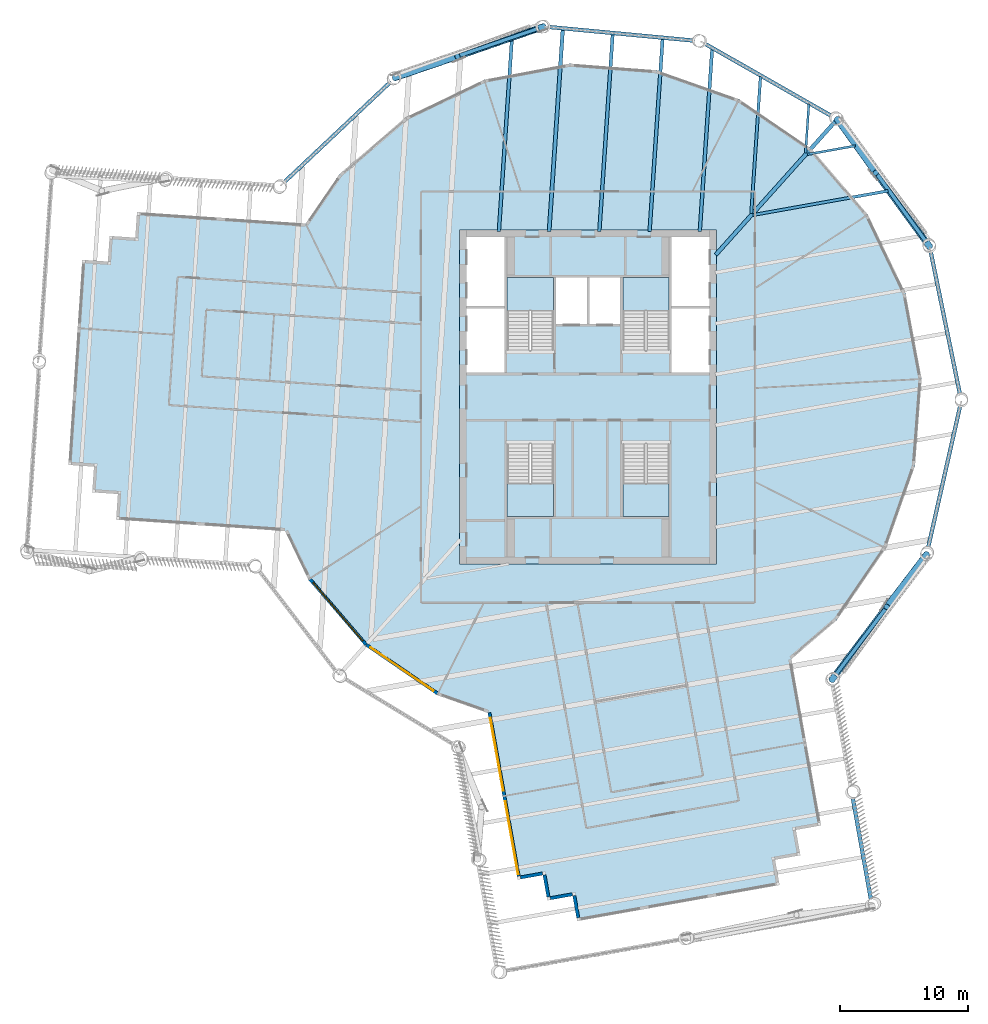
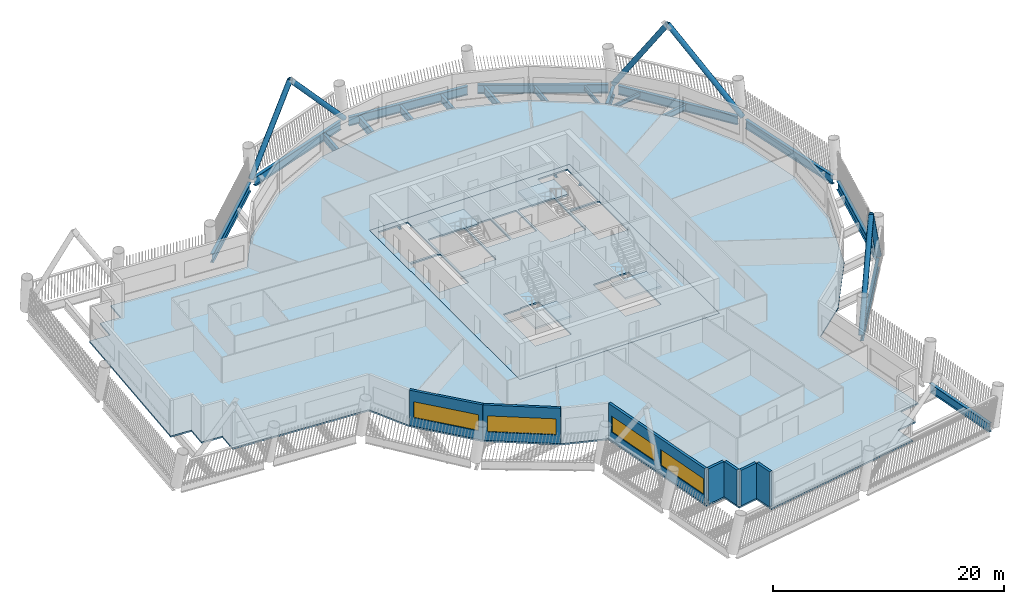
# One storey, part 2 of 22: 19 beams, 7 walls, 6 members, 6 slabs, 4 windows, 4 openings, 4 elements without a shape of their own.
"""IFC4 building model written with IfcOpenShell, lengths in metres."""

from ifc_helpers import new_model, si_unit, direction, frame, frame_2d, origin, origin_2d, place, context, subcontext, project, spatial, polyline, rectangle, hollow_circle, i_section, outline, extrude, material, layer, layer_set, material_profile, profile_set, type_object, element, fill, aggregate, save


model = new_model("IFC4")

# Units and contexts
model_context = context("Model", 3, precision=1e-05, world=origin(), true_north=direction((0.0, 1.0)))
body_context = subcontext(model_context, "Body", "Model", "MODEL_VIEW")
ifc_project = project(units=[si_unit("LENGTHUNIT", "METRE"), si_unit("AREAUNIT", "SQUARE_METRE"), si_unit("VOLUMEUNIT", "CUBIC_METRE"), si_unit("PLANEANGLEUNIT", "RADIAN"), si_unit("MASSUNIT", "GRAM", prefix="KILO")], contexts=[model_context])

# Site, building, storey
site_placement = place(None, origin())
site = spatial("IfcSite", under=ifc_project, at=site_placement, CompositionType="ELEMENT")
building_placement = place(site_placement, origin())
building = spatial("IfcBuilding", under=site, at=building_placement, Name="Tarsis Ring Headquarters", CompositionType="ELEMENT")
storey_placement = place(building_placement, frame((0.0, 0.0, 270.800048828125)))
storey = spatial("IfcBuildingStorey", under=building, at=storey_placement, Name="L63", CompositionType="ELEMENT", Elevation=270.800048828125)

# Beams
ifc_material_1 = material(Name="Structural steel S355", Category="steel")
ifc_material_profile_1 = material_profile(ifc_material_1, i_section(OverallWidth=0.177734375, OverallDepth=0.406494140625, WebThickness=0.0078125, FlangeThickness=0.0126953125, at=origin_2d()), Name="W16x40")
ifc_profile_set_1 = profile_set([ifc_material_profile_1], Name="Structural steel S355")
beam_type_1 = type_object("IfcBeamType", Name="FB Floor beam W16x40", PredefinedType="JOIST", material=ifc_profile_set_1)
beam_1_placement = place(storey_placement, frame((17.064697265625, 18.892333984375, -0.36328125), z_axis=(0.98443867627, 0.175728462872, 0.0), x_axis=(-0.175728462872, 0.98443867627, 0.0)))
element("IfcBeam", 1, at=beam_1_placement, inside=storey, type_object=beam_type_1, Name="Floor beam FB1", PredefinedType="JOIST", context=body_context, shape_type="SweptSolid", body=[
    extrude(i_section(OverallWidth=0.177734375, OverallDepth=0.406494140625, WebThickness=0.0078125, FlangeThickness=0.0126953125, at=origin_2d()), origin(), (0.0, 0.0, 1.0), 3.805419921875),
])
beam_2_placement = place(storey_placement, frame((17.18310546875, 22.8134765625, -0.36328125), z_axis=(-0.06769004825, -0.99770639838, 0.0), x_axis=(0.99770639838, -0.06769004825, 0.0)))
element("IfcBeam", 2, at=beam_2_placement, inside=storey, type_object=beam_type_1, Name="Floor beam FB1", PredefinedType="JOIST", context=body_context, shape_type="SweptSolid", body=[
    extrude(i_section(OverallWidth=0.177734375, OverallDepth=0.406494140625, WebThickness=0.0078125, FlangeThickness=0.0126953125, at=origin_2d()), origin(), (0.0, 0.0, 1.0), 3.80517578125),
])
ifc_material_profile_2 = material_profile(ifc_material_1, i_section(OverallWidth=0.228271484375, OverallDepth=0.607177734375, WebThickness=0.01123046875, FlangeThickness=0.017333984375, at=origin_2d()), Name="W24x76")
ifc_profile_set_2 = profile_set([ifc_material_profile_2], Name="Structural steel S355")
beam_type_2 = type_object("IfcBeamType", Name="FB Floor beam W24x76", PredefinedType="JOIST", material=ifc_profile_set_2)
beam_3_placement = place(storey_placement, frame((12.8359375, 14.176025390625, -0.463623046875), z_axis=(0.98444098882, 0.17571550737, 0.0), x_axis=(-0.17571550737, 0.98444098882, 0.0)))
element("IfcBeam", 3, at=beam_3_placement, inside=storey, type_object=beam_type_2, Name="Floor beam FB4", PredefinedType="JOIST", context=body_context, shape_type="SweptSolid", body=[
    extrude(i_section(OverallWidth=0.228271484375, OverallDepth=0.607177734375, WebThickness=0.01123046875, FlangeThickness=0.017333984375, at=origin_2d()), origin(), (0.0, 0.0, 1.0), 10.6845703125),
])
beam_4_placement = place(storey_placement, frame((13.419677734375, 24.9609375, -0.463623046875), z_axis=(-0.067656370308, -0.997708682711, 0.0), x_axis=(0.997708682711, -0.067656370308, 0.0)))
element("IfcBeam", 4, at=beam_4_placement, inside=storey, type_object=beam_type_2, Name="Floor beam FB4", PredefinedType="JOIST", context=body_context, shape_type="SweptSolid", body=[
    extrude(i_section(OverallWidth=0.228271484375, OverallDepth=0.607177734375, WebThickness=0.01123046875, FlangeThickness=0.017333984375, at=origin_2d()), origin(), (0.0, 0.0, 1.0), 10.684814453125),
])
ifc_material_profile_3 = material_profile(ifc_material_1, i_section(OverallWidth=0.2666015625, OverallDepth=0.7568359375, WebThickness=0.013916015625, FlangeThickness=0.019287109375, at=origin_2d()), Name="W30x108")
ifc_profile_set_3 = profile_set([ifc_material_profile_3], Name="Structural steel S355")
beam_type_3 = type_object("IfcBeamType", Name="FB Floor beam W30x108", PredefinedType="JOIST", material=ifc_profile_set_3)
beam_5_placement = place(storey_placement, frame((9.656494140625, 27.108154296875, -0.53857421875), z_axis=(-0.067667078568, -0.997707956507, 0.0), x_axis=(0.997707956507, -0.067667078568, 0.0)))
element("IfcBeam", 5, at=beam_5_placement, inside=storey, type_object=beam_type_3, Name="Floor beam FB6", PredefinedType="JOIST", context=body_context, shape_type="SweptSolid", body=[
    extrude(i_section(OverallWidth=0.2666015625, OverallDepth=0.7568359375, WebThickness=0.013916015625, FlangeThickness=0.019287109375, at=origin_2d()), origin(), (0.0, 0.0, 1.0), 14.24072265625),
])
beam_6_placement = place(storey_placement, frame((5.802490234375, 27.920166015625, -0.53857421875), z_axis=(-0.06765775224, -0.997708588999, 0.0), x_axis=(0.997708588999, -0.06765775224, 0.0)))
element("IfcBeam", 6, at=beam_6_placement, inside=storey, type_object=beam_type_3, Name="Floor beam FB6", PredefinedType="JOIST", context=body_context, shape_type="SweptSolid", body=[
    extrude(i_section(OverallWidth=0.2666015625, OverallDepth=0.7568359375, WebThickness=0.013916015625, FlangeThickness=0.019287109375, at=origin_2d()), origin(), (0.0, 0.0, 1.0), 15.054443359375),
])
beam_7_placement = place(storey_placement, frame((1.91845703125, 28.28515625, -0.53857421875), z_axis=(-0.067667513213, -0.997707927029, 0.0), x_axis=(0.997707927029, -0.067667513213, 0.0)))
element("IfcBeam", 7, at=beam_7_placement, inside=storey, type_object=beam_type_3, Name="Floor beam FB6", PredefinedType="JOIST", context=body_context, shape_type="SweptSolid", body=[
    extrude(i_section(OverallWidth=0.2666015625, OverallDepth=0.7568359375, WebThickness=0.013916015625, FlangeThickness=0.019287109375, at=origin_2d()), origin(), (0.0, 0.0, 1.0), 15.42041015625),
])
beam_8_placement = place(storey_placement, frame((-5.924072265625, 27.924072265625, -0.53857421875), z_axis=(-0.067656380287, -0.997708682034, 0.0), x_axis=(0.997708682034, -0.067656380287, 0.0)))
element("IfcBeam", 8, at=beam_8_placement, inside=storey, type_object=beam_type_3, Name="Floor beam FB6", PredefinedType="JOIST", context=body_context, shape_type="SweptSolid", body=[
    extrude(i_section(OverallWidth=0.2666015625, OverallDepth=0.7568359375, WebThickness=0.013916015625, FlangeThickness=0.019287109375, at=origin_2d()), origin(), (0.0, 0.0, 1.0), 15.058349609375),
])
ifc_material_profile_4 = material_profile(ifc_material_1, i_section(OverallWidth=0.2919921875, OverallDepth=0.835693359375, WebThickness=0.013916015625, FlangeThickness=0.018798828125, at=origin_2d()), Name="W33x118")
ifc_profile_set_4 = profile_set([ifc_material_profile_4], Name="Structural steel S355")
beam_type_4 = type_object("IfcBeamType", Name="FB Floor beam W33x118", PredefinedType="JOIST", material=ifc_profile_set_4)
beam_9_placement = place(storey_placement, frame((-1.9658203125, 28.64990234375, -0.577880859375), z_axis=(-0.067662471157, -0.997708268983, 0.0), x_axis=(0.997708268983, -0.067662471157, 0.0)))
element("IfcBeam", 9, at=beam_9_placement, inside=storey, type_object=beam_type_4, Name="Floor beam FB7", PredefinedType="JOIST", context=body_context, shape_type="SweptSolid", body=[
    extrude(i_section(OverallWidth=0.2919921875, OverallDepth=0.835693359375, WebThickness=0.013916015625, FlangeThickness=0.018798828125, at=origin_2d()), origin(), (0.0, 0.0, 1.0), 15.785888671875),
])
ifc_material_profile_5 = material_profile(ifc_material_1, i_section(OverallWidth=0.309814453125, OverallDepth=0.949951171875, WebThickness=0.0244140625, FlangeThickness=0.0439453125, at=origin_2d()), Name="W36x256")
ifc_profile_set_5 = profile_set([ifc_material_profile_5], Name="Structural steel S355")
beam_type_5 = type_object("IfcBeamType", Name="FB Floor beam W36x256 spine", PredefinedType="BEAM", material=ifc_profile_set_5)
beam_10_placement = place(storey_placement, frame((19.35302734375, 21.584228515625, -0.635009765625), z_axis=(-0.667578422281, -0.744539488613, 0.0), x_axis=(0.744539488613, -0.667578422281, 0.0)))
element("IfcBeam", 10, at=beam_10_placement, inside=storey, type_object=beam_type_5, Name="Floor beam SB11", PredefinedType="BEAM", context=body_context, shape_type="SweptSolid", body=[
    extrude(i_section(OverallWidth=0.309814453125, OverallDepth=0.949951171875, WebThickness=0.0244140625, FlangeThickness=0.0439453125, at=origin_2d()), origin(), (0.0, 0.0, 1.0), 14.110107421875),
])

# Members
ifc_material_profile_6 = material_profile(ifc_material_1, hollow_circle(Radius=0.25390625, WallThickness=0.02001953125, at=origin_2d()), Name="CHS 508x20")
ifc_profile_set_6 = profile_set([ifc_material_profile_6], Name="Structural steel S355")
member_type = type_object("IfcMemberType", Name="XD X brace CHS 508x20", PredefinedType="BRACE", material=ifc_profile_set_6)
member_1_placement = place(storey_placement, frame((18.961669921875, -22.006103515625, 0.0), z_axis=(0.405013500334, 0.538669111634, 0.738782547654), x_axis=(-0.799278888409, 0.600960280338, 0.0)))
element("IfcMember", 11, at=member_1_placement, inside=storey, type_object=member_type, Name="X brace XD2", PredefinedType="BRACE", context=body_context, shape_type="SweptSolid", body=[
    extrude(hollow_circle(Radius=0.25390625, WallThickness=0.02001953125, at=origin_2d()), origin(), (0.0, 0.0, 1.0), 10.557861328125),
])
member_2_placement = place(storey_placement, frame((26.3466796875, -12.23388671875, 0.0), z_axis=(-0.332938850158, -0.437469203773, 0.835327730777), x_axis=(0.79575694436, -0.605616120576, 0.0)))
element("IfcMember", 12, at=member_2_placement, inside=storey, type_object=member_type, Name="X brace XD2", PredefinedType="BRACE", context=body_context, shape_type="SweptSolid", body=[
    extrude(hollow_circle(Radius=0.25390625, WallThickness=0.02001953125, at=origin_2d()), origin(), (0.0, 0.0, 1.0), 9.337646484375),
])
member_3_placement = place(storey_placement, frame((26.582763671875, 11.7119140625, 0.0), z_axis=(-0.396969562652, 0.544616248592, 0.738788405497), x_axis=(-0.8081109684, -0.589030273205, 0.0)))
element("IfcMember", 13, at=member_3_placement, inside=storey, type_object=member_type, Name="X brace XD2", PredefinedType="BRACE", context=body_context, shape_type="SweptSolid", body=[
    extrude(hollow_circle(Radius=0.25390625, WallThickness=0.02001953125, at=origin_2d()), origin(), (0.0, 0.0, 1.0), 10.557861328125),
])
member_4_placement = place(storey_placement, frame((19.39208984375, 21.6279296875, 0.0), z_axis=(0.321224351941, -0.446147838313, 0.835324501071), x_axis=(0.811536145559, 0.584302220132, 0.0)))
element("IfcMember", 14, at=member_4_placement, inside=storey, type_object=member_type, Name="X brace XD2", PredefinedType="BRACE", context=body_context, shape_type="SweptSolid", body=[
    extrude(hollow_circle(Radius=0.25390625, WallThickness=0.02001953125, at=origin_2d()), origin(), (0.0, 0.0, 1.0), 9.337646484375),
])
member_5_placement = place(storey_placement, frame((-3.44189453125, 28.843994140625, 0.0), z_axis=(-0.636780668532, -0.220715792038, 0.73877934414), x_axis=(0.327497066151, -0.94485219567, 0.0)))
element("IfcMember", 15, at=member_5_placement, inside=storey, type_object=member_type, Name="X brace XD2", PredefinedType="BRACE", context=body_context, shape_type="SweptSolid", body=[
    extrude(hollow_circle(Radius=0.25390625, WallThickness=0.02001953125, at=origin_2d()), origin(), (0.0, 0.0, 1.0), 10.55810546875),
])
member_6_placement = place(storey_placement, frame((-15.025146484375, 24.86083984375, 0.0), z_axis=(0.520480438415, 0.177005704932, 0.835325741043), x_axis=(-0.321971793828, 0.946749261409, 0.0)))
element("IfcMember", 16, at=member_6_placement, inside=storey, type_object=member_type, Name="X brace XD2", PredefinedType="BRACE", context=body_context, shape_type="SweptSolid", body=[
    extrude(hollow_circle(Radius=0.25390625, WallThickness=0.02001953125, at=origin_2d()), origin(), (0.0, 0.0, 1.0), 9.337646484375),
])

# Beams
ifc_material_profile_7 = material_profile(ifc_material_1, i_section(OverallWidth=0.309814453125, OverallDepth=0.93212890625, WebThickness=0.02099609375, FlangeThickness=0.034423828125, at=origin_2d()), Name="W36x210")
ifc_profile_set_7 = profile_set([ifc_material_profile_7], Name="Structural steel S355")
beam_type_6 = type_object("IfcBeamType", Name="XG Ring girder W36x210", PredefinedType="BEAM", material=ifc_profile_set_7)
beam_11_placement = place(storey_placement, frame((22.009765625, -39.08349609375, -0.466064453125), z_axis=(-0.175713415243, 0.984441362247, 0.0), x_axis=(-0.984441362247, -0.175713415243, 0.0)))
element("IfcBeam", 17, at=beam_11_placement, inside=storey, type_object=beam_type_6, Name="Ring girder XG3", PredefinedType="BEAM", context=body_context, shape_type="SweptSolid", body=[
    extrude(i_section(OverallWidth=0.309814453125, OverallDepth=0.93212890625, WebThickness=0.02099609375, FlangeThickness=0.034423828125, at=origin_2d()), origin(), (0.0, 0.0, 1.0), 7.98779296875),
])
beam_12_placement = place(storey_placement, frame((19.2373046875, -21.641357421875, -0.466064453125), z_axis=(0.602915052966, 0.797805389119, 0.0), x_axis=(-0.797805389119, 0.602915052966, 0.0)))
element("IfcBeam", 18, at=beam_12_placement, inside=storey, type_object=beam_type_6, Name="Ring girder XG3", PredefinedType="BEAM", context=body_context, shape_type="SweptSolid", body=[
    extrude(i_section(OverallWidth=0.309814453125, OverallDepth=0.93212890625, WebThickness=0.02099609375, FlangeThickness=0.034423828125, at=origin_2d()), origin(), (0.0, 0.0, 1.0), 11.33447265625),
])
beam_13_placement = place(storey_placement, frame((26.447509765625, -11.787841796875, -0.466064453125), z_axis=(0.220461849842, 0.975395598085, 0.0), x_axis=(-0.975395598085, 0.220461849842, 0.0)))
element("IfcBeam", 19, at=beam_13_placement, inside=storey, type_object=beam_type_6, Name="Ring girder XG3", PredefinedType="BEAM", context=body_context, shape_type="SweptSolid", body=[
    extrude(i_section(OverallWidth=0.309814453125, OverallDepth=0.93212890625, WebThickness=0.02099609375, FlangeThickness=0.034423828125, at=origin_2d()), origin(), (0.0, 0.0, 1.0), 11.334228515625),
])
for number, where, z_axis, x_axis, name in (
    (20, (28.955078125, 0.161376953125, -0.466064453125), (-0.201179455878, 0.979554402028, 0.0), (-0.979554402028, -0.201179455878, 0.0), "Ring girder XG3"),
    (21, (26.314453125, 12.08203125, -0.466064453125), (-0.587060749781, 0.809542880931, 0.0), (-0.809542880931, -0.587060749781, 0.0), "Ring girder XG3"),
):
    element("IfcBeam", number, at=place(storey_placement, frame(where, z_axis=z_axis, x_axis=x_axis)), inside=storey, type_object=beam_type_6, Name=name, PredefinedType="BEAM", context=body_context, shape_type="SweptSolid", body=[
        extrude(i_section(OverallWidth=0.309814453125, OverallDepth=0.93212890625, WebThickness=0.02099609375, FlangeThickness=0.034423828125, at=origin_2d()), origin(), (0.0, 0.0, 1.0), 11.33447265625),
    ])
beam_14_placement = place(storey_placement, frame((18.994873046875, 21.8544921875, -0.466064453125), z_axis=(-0.868555796028, 0.495591393374, 0.0), x_axis=(-0.495591393374, -0.868555796028, 0.0)))
element("IfcBeam", 22, at=beam_14_placement, inside=storey, type_object=beam_type_6, Name="Ring girder XG3", PredefinedType="BEAM", context=body_context, shape_type="SweptSolid", body=[
    extrude(i_section(OverallWidth=0.309814453125, OverallDepth=0.93212890625, WebThickness=0.02099609375, FlangeThickness=0.034423828125, at=origin_2d()), origin(), (0.0, 0.0, 1.0), 11.334228515625),
])
for number, where, z_axis, x_axis, name in (
    (23, (8.298095703125, 27.7412109375, -0.466064453125), (-0.995619012203, 0.093502847759, 0.0), (-0.093502847759, -0.995619012203, 0.0), "Ring girder XG3"),
    (24, (-3.874267578125, 28.6953125, -0.466064453125), (-0.94565120863, -0.325182704979, 0.0), (0.325182704979, -0.94565120863, 0.0), "Ring girder XG3"),
    (25, (-15.357666015625, 24.547119140625, -0.466064453125), (-0.727545171105, -0.686059781653, 0.0), (0.686059781653, -0.727545171105, 0.0), "Ring girder XG3"),
):
    element("IfcBeam", number, at=place(storey_placement, frame(where, z_axis=z_axis, x_axis=x_axis)), inside=storey, type_object=beam_type_6, Name=name, PredefinedType="BEAM", context=body_context, shape_type="SweptSolid", body=[
        extrude(i_section(OverallWidth=0.309814453125, OverallDepth=0.93212890625, WebThickness=0.02099609375, FlangeThickness=0.034423828125, at=origin_2d()), origin(), (0.0, 0.0, 1.0), 11.33447265625),
    ])

# Slab
ifc_material_2 = material(Name="Concrete C40/50", Category="concrete")
ifc_layer_1 = layer(ifc_material_2, 0.159912109375)
ifc_layer_set_1 = layer_set([ifc_layer_1], Name="Core floor slab 160 C40/50")
slab_type_1 = type_object("IfcSlabType", Name="Core floor slab 160 C40/50", PredefinedType="FLOOR", material=ifc_layer_set_1)
slab_1_placement = place(storey_placement, frame((0.0, 0.0, -0.16015625)))
element("IfcSlab", 26, at=slab_1_placement, inside=storey, type_object=slab_type_1, Name="L63 core floor slab", PredefinedType="FLOOR", context=body_context, shape_type="SweptSolid", body=[
    extrude(outline(polyline([(-10.0, -13.0), (10.0, -13.0), (10.0, 13.0), (-10.0, 13.0), (-10.0, -13.0)]), holes=[polyline([(-2.5, 5.699951171875), (-0.10009765625, 5.699951171875), (-0.10009765625, 9.300048828125), (-2.5, 9.300048828125), (-2.5, 5.699951171875)]), polyline([(0.10009765625, 5.699951171875), (2.5, 5.699951171875), (2.5, 9.300048828125), (0.10009765625, 9.300048828125), (0.10009765625, 5.699951171875)]), polyline([(-9.449951171875, 1.89990234375), (-6.5, 1.89990234375), (-6.5, 6.89990234375), (-9.449951171875, 6.89990234375), (-9.449951171875, 1.89990234375)]), polyline([(-9.449951171875, 7.10009765625), (-6.5, 7.10009765625), (-6.5, 12.449951171875), (-9.449951171875, 12.449951171875), (-9.449951171875, 7.10009765625)]), polyline([(6.5, 1.89990234375), (9.449951171875, 1.89990234375), (9.449951171875, 6.89990234375), (6.5, 6.89990234375), (6.5, 1.89990234375)]), polyline([(6.5, 7.10009765625), (9.449951171875, 7.10009765625), (9.449951171875, 12.449951171875), (6.5, 12.449951171875), (6.5, 7.10009765625)]), polyline([(-2.699951171875, 3.760009765625), (-2.699951171875, 9.300048828125), (-6.300048828125, 9.300048828125), (-6.300048828125, 3.659912109375), (-4.4599609375, 3.659912109375), (-4.4599609375, 3.760009765625), (-2.699951171875, 3.760009765625)]), polyline([(6.300048828125, 3.760009765625), (6.300048828125, 9.300048828125), (2.699951171875, 9.300048828125), (2.699951171875, 3.659912109375), (4.5400390625, 3.659912109375), (4.5400390625, 3.760009765625), (6.300048828125, 3.760009765625)]), polyline([(-6.300048828125, -3.760009765625), (-6.300048828125, -9.300048828125), (-2.699951171875, -9.300048828125), (-2.699951171875, -3.659912109375), (-4.5400390625, -3.659912109375), (-4.5400390625, -3.760009765625), (-6.300048828125, -3.760009765625)]), polyline([(2.699951171875, -3.760009765625), (2.699951171875, -9.300048828125), (6.300048828125, -9.300048828125), (6.300048828125, -3.659912109375), (4.4599609375, -3.659912109375), (4.4599609375, -3.760009765625), (2.699951171875, -3.760009765625)])]), origin(), (0.0, 0.0, 1.0), 0.16015625),
])

# Stair, slab
ifc_material_3 = material(Name="Core stair 1760")
stair_type = type_object("IfcStairType", Name="Core stair 1760", PredefinedType="HALF_TURN_STAIR", material=ifc_material_3)
stair_1_placement = place(storey_placement, origin())
stair_1 = element("IfcStair", 27, at=stair_1_placement, inside=storey, type_object=stair_type, Name="L63 Firefighting stair", PredefinedType="HALF_TURN_STAIR")
ifc_layer_2 = layer(ifc_material_2, 0.199951171875)
ifc_layer_set_2 = layer_set([ifc_layer_2], Name="Core stair landing 200")
slab_type_2 = type_object("IfcSlabType", Name="Core stair landing 200", PredefinedType="LANDING", material=ifc_layer_set_2)
slab_2_placement = place(storey_placement, frame((0.0, 0.0, 1.75)))
slab_2 = element("IfcSlab", 28, at=slab_2_placement, type_object=slab_type_2, Name="Stair ST1 landing 1", PredefinedType="LANDING", context=body_context, shape_type="SweptSolid", body=[
    extrude(outline(polyline([(-2.699951171875, 6.739990234375), (-2.699951171875, 9.300048828125), (-6.300048828125, 9.300048828125), (-6.300048828125, 6.739990234375), (-2.699951171875, 6.739990234375)])), origin(), (0.0, 0.0, 1.0), 0.199951171875),
])
aggregate(stair_1, [slab_2])

stair_2_placement = place(storey_placement, origin())
stair_2 = element("IfcStair", 29, at=stair_2_placement, inside=storey, type_object=stair_type, Name="L63 Exit stair B", PredefinedType="HALF_TURN_STAIR")
slab_3_placement = place(storey_placement, frame((0.0, 0.0, 1.75)))
slab_3 = element("IfcSlab", 30, at=slab_3_placement, type_object=slab_type_2, Name="Stair ST2 landing 1", PredefinedType="LANDING", context=body_context, shape_type="SweptSolid", body=[
    extrude(outline(polyline([(6.300048828125, 6.739990234375), (6.300048828125, 9.300048828125), (2.699951171875, 9.300048828125), (2.699951171875, 6.739990234375), (6.300048828125, 6.739990234375)])), origin(), (0.0, 0.0, 1.0), 0.199951171875),
])
aggregate(stair_2, [slab_3])

stair_3_placement = place(storey_placement, origin())
stair_3 = element("IfcStair", 31, at=stair_3_placement, inside=storey, type_object=stair_type, Name="L63 Exit stair C", PredefinedType="HALF_TURN_STAIR")
slab_4_placement = place(storey_placement, frame((0.0, 0.0, 1.75)))
slab_4 = element("IfcSlab", 32, at=slab_4_placement, type_object=slab_type_2, Name="Stair ST3 landing 1", PredefinedType="LANDING", context=body_context, shape_type="SweptSolid", body=[
    extrude(outline(polyline([(-6.300048828125, -6.739990234375), (-6.300048828125, -9.300048828125), (-2.699951171875, -9.300048828125), (-2.699951171875, -6.739990234375), (-6.300048828125, -6.739990234375)])), origin(), (0.0, 0.0, 1.0), 0.199951171875),
])
aggregate(stair_3, [slab_4])

stair_4_placement = place(storey_placement, origin())
stair_4 = element("IfcStair", 33, at=stair_4_placement, inside=storey, type_object=stair_type, Name="L63 Exit stair D", PredefinedType="HALF_TURN_STAIR")
slab_5_placement = place(storey_placement, frame((0.0, 0.0, 1.75)))
slab_5 = element("IfcSlab", 34, at=slab_5_placement, type_object=slab_type_2, Name="Stair ST4 landing 1", PredefinedType="LANDING", context=body_context, shape_type="SweptSolid", body=[
    extrude(outline(polyline([(2.699951171875, -6.739990234375), (2.699951171875, -9.300048828125), (6.300048828125, -9.300048828125), (6.300048828125, -6.739990234375), (2.699951171875, -6.739990234375)])), origin(), (0.0, 0.0, 1.0), 0.199951171875),
])
aggregate(stair_4, [slab_5])

# Slab
ifc_material_4 = material(Name="Concrete C35/45", Category="concrete")
ifc_layer_3 = layer(ifc_material_4, 0.159912109375)
ifc_layer_set_3 = layer_set([ifc_layer_3], Name="FS Composite floor slab 160")
slab_type_3 = type_object("IfcSlabType", Name="FS Composite floor slab 160", PredefinedType="FLOOR", material=ifc_layer_set_3)
slab_6_placement = place(storey_placement, frame((0.0, 0.0, -0.16015625)))
element("IfcSlab", 35, at=slab_6_placement, inside=storey, type_object=slab_type_3, Name="Floor slab L63", PredefinedType="FLOOR", context=body_context, shape_type="SweptSolid", body=[
    extrude(outline(polyline([(-23.587646484375, -10.427734375), (-21.775634765625, -14.206298828125), (-17.35693359375, -19.358154296875), (-11.755126953125, -23.19091796875), (-7.80224609375, -24.581298828125), (-5.48779296875, -37.54833984375), (-3.518798828125, -37.197021484375), (-3.16748046875, -39.166015625), (-1.198486328125, -38.814453125), (-0.84716796875, -40.783447265625), (14.904052734375, -37.971923828125), (14.552490234375, -36.003173828125), (16.521484375, -35.651611328125), (16.169921875, -33.682861328125), (18.138916015625, -33.331298828125), (15.828125, -20.384765625), (19.358154296875, -17.35693359375), (23.19091796875, -11.755126953125), (25.443115234375, -5.3525390625), (25.96142578125, 1.4150390625), (24.710693359375, 8.086181640625), (21.775634765625, 14.206298828125), (17.35693359375, 19.358154296875), (11.755126953125, 23.19091796875), (5.3525390625, 25.443115234375), (-1.4150390625, 25.96142578125), (-8.086181640625, 24.710693359375), (-14.206298828125, 21.775634765625), (-19.358154296875, 17.35693359375), (-21.984375, 13.5185546875), (-35.10546875, 14.408447265625), (-35.24072265625, 12.4130859375), (-37.236328125, 12.54833984375), (-37.37158203125, 10.552978515625), (-39.366943359375, 10.688232421875), (-40.44970703125, -5.27490234375), (-38.454345703125, -5.410400390625), (-38.589599609375, -7.40576171875), (-36.59423828125, -7.541015625), (-36.7294921875, -9.536376953125), (-23.587646484375, -10.427734375)]), holes=[polyline([(-10.0, -13.0), (-10.0, 13.0), (10.0, 13.0), (10.0, -13.0), (-10.0, -13.0)])]), origin(), (0.0, 0.0, 1.0), 0.16015625),
])

# Wall, opening, window
ifc_material_5 = material(Name="Terracotta clad insulated panel wall", Category="masonry")
ifc_layer_4 = layer(ifc_material_5, 0.25)
ifc_layer_set_4 = layer_set([ifc_layer_4], Name="Facade wall terracotta panel 250")
wall_type = type_object("IfcWallType", Name="Facade wall terracotta panel 250", PredefinedType="STANDARD", material=ifc_layer_set_4)
wall_1_placement = place(storey_placement, frame((-21.659423828125, -14.14990234375, 0.0), z_axis=(0.0, 0.0, 1.0), x_axis=(0.651048586485, -0.759036058456, 0.0)))
wall_1 = element("IfcWall", 36, at=wall_1_placement, inside=storey, type_object=wall_type, Name="External wall L63-03", PredefinedType="STANDARD", context=body_context, shape_type="SweptSolid", body=[
    extrude(rectangle(XDim=6.721435546875, YDim=0.25, at=frame_2d((3.36083984375, 0.0))), origin(), (0.0, 0.0, 1.0), 3.739990234375),
])
opening_1_placement = place(wall_1_placement, frame((0.3857421875, 0.0, 0.89990234375)))
opening_1 = element("IfcOpeningElement", 37, at=opening_1_placement, cuts=wall_1, Name="Opening WN07", PredefinedType="OPENING", context=body_context, shape_type="SweptSolid", body=[
    extrude(rectangle(XDim=5.949951171875, YDim=1.699951171875, at=frame_2d((2.97509765625, 0.85009765625))), frame((0.0, 0.135009765625, 0.0), z_axis=(0.0, -1.0, 0.0), x_axis=(1.0, 0.0, 0.0)), (0.0, 0.0, 1.0), 0.27001953125),
])
ifc_material_6 = material(Name="Aluminium framed double glazing", Category="aluminium")
window_type_1 = type_object("IfcWindowType", Name="Facade window 5950 x 1700", PartitioningType="SINGLE_PANEL", PredefinedType="WINDOW", material=ifc_material_6)
window_1_placement = place(opening_1_placement, origin())
window_1 = element("IfcWindow", 38, at=window_1_placement, inside=storey, type_object=window_type_1, Name="Window L63-03.1", OverallHeight=1.699951171875, OverallWidth=5.949951171875, PartitioningType="SINGLE_PANEL", PredefinedType="WINDOW", context=body_context, shape_type="SweptSolid", body=[
    extrude(rectangle(XDim=5.949951171875, YDim=1.699951171875, at=frame_2d((2.97509765625, 0.85009765625))), frame((0.0, 0.030029296875, 0.0), z_axis=(0.0, -1.0, 0.0), x_axis=(1.0, 0.0, 0.0)), (0.0, 0.0, 1.0), 0.06005859375),
])
fill(opening_1, window_1)

wall_2_placement = place(storey_placement, frame((-17.259033203125, -19.273681640625, 0.0), z_axis=(0.0, 0.0, 1.0), x_axis=(0.825317952228, -0.564668289998, 0.0)))
wall_2 = element("IfcWall", 39, at=wall_2_placement, inside=storey, type_object=wall_type, Name="External wall L63-04", PredefinedType="STANDARD", context=body_context, shape_type="SweptSolid", body=[
    extrude(rectangle(XDim=6.721435546875, YDim=0.25, at=frame_2d((3.36083984375, 0.0))), origin(), (0.0, 0.0, 1.0), 3.739990234375),
])
opening_2_placement = place(wall_2_placement, frame((0.3857421875, 0.0, 0.89990234375)))
opening_2 = element("IfcOpeningElement", 40, at=opening_2_placement, cuts=wall_2, Name="Opening WN07", PredefinedType="OPENING", context=body_context, shape_type="SweptSolid", body=[
    extrude(rectangle(XDim=5.949951171875, YDim=1.699951171875, at=frame_2d((2.97509765625, 0.85009765625))), frame((0.0, 0.135009765625, 0.0), z_axis=(0.0, -1.0, 0.0), x_axis=(1.0, 0.0, 0.0)), (0.0, 0.0, 1.0), 0.27001953125),
])
window_2_placement = place(opening_2_placement, origin())
window_2 = element("IfcWindow", 41, at=window_2_placement, inside=storey, type_object=window_type_1, Name="Window L63-04.1", OverallHeight=1.699951171875, OverallWidth=5.949951171875, PartitioningType="SINGLE_PANEL", PredefinedType="WINDOW", context=body_context, shape_type="SweptSolid", body=[
    extrude(rectangle(XDim=5.949951171875, YDim=1.699951171875, at=frame_2d((2.97509765625, 0.85009765625))), frame((0.0, 0.030029296875, 0.0), z_axis=(0.0, -1.0, 0.0), x_axis=(1.0, 0.0, 0.0)), (0.0, 0.0, 1.0), 0.06005859375),
])
fill(opening_2, window_2)

# Wall, openings, windows
wall_3_placement = place(storey_placement, frame((-7.67919921875, -24.559326171875, 0.0), z_axis=(0.0, 0.0, 1.0), x_axis=(0.175708898687, -0.984442168399, 0.0)))
wall_3 = element("IfcWall", 42, at=wall_3_placement, inside=storey, type_object=wall_type, Name="External wall L63-06", PredefinedType="STANDARD", context=body_context, shape_type="SweptSolid", body=[
    extrude(rectangle(XDim=12.921875, YDim=0.25, at=frame_2d((6.4609375, 0.0))), origin(), (0.0, 0.0, 1.0), 3.739990234375),
])
opening_3_placement = place(wall_3_placement, frame((0.41796875, 0.0, 0.89990234375)))
opening_3 = element("IfcOpeningElement", 43, at=opening_3_placement, cuts=wall_3, Name="Opening WN06", PredefinedType="OPENING", context=body_context, shape_type="SweptSolid", body=[
    extrude(rectangle(XDim=5.75, YDim=1.699951171875, at=frame_2d((2.875, 0.85009765625))), frame((0.0, 0.135009765625, 0.0), z_axis=(0.0, -1.0, 0.0), x_axis=(1.0, 0.0, 0.0)), (0.0, 0.0, 1.0), 0.27001953125),
])
opening_4_placement = place(wall_3_placement, frame((7.00390625, 0.0, 0.89990234375)))
opening_4 = element("IfcOpeningElement", 44, at=opening_4_placement, cuts=wall_3, Name="Opening WN06", PredefinedType="OPENING", context=body_context, shape_type="SweptSolid", body=[
    extrude(rectangle(XDim=5.75, YDim=1.699951171875, at=frame_2d((2.875, 0.85009765625))), frame((0.0, 0.135009765625, 0.0), z_axis=(0.0, -1.0, 0.0), x_axis=(1.0, 0.0, 0.0)), (0.0, 0.0, 1.0), 0.27001953125),
])
window_type_2 = type_object("IfcWindowType", Name="Facade window 5750 x 1700", PartitioningType="SINGLE_PANEL", PredefinedType="WINDOW", material=ifc_material_6)
window_3_placement = place(opening_3_placement, origin())
window_3 = element("IfcWindow", 45, at=window_3_placement, inside=storey, type_object=window_type_2, Name="Window L63-06.1", OverallHeight=1.699951171875, OverallWidth=5.75, PartitioningType="SINGLE_PANEL", PredefinedType="WINDOW", context=body_context, shape_type="SweptSolid", body=[
    extrude(rectangle(XDim=5.75, YDim=1.699951171875, at=frame_2d((2.875, 0.85009765625))), frame((0.0, 0.030029296875, 0.0), z_axis=(0.0, -1.0, 0.0), x_axis=(1.0, 0.0, 0.0)), (0.0, 0.0, 1.0), 0.06005859375),
])
fill(opening_3, window_3)
window_4_placement = place(opening_4_placement, origin())
window_4 = element("IfcWindow", 46, at=window_4_placement, inside=storey, type_object=window_type_2, Name="Window L63-06.2", OverallHeight=1.699951171875, OverallWidth=5.75, PartitioningType="SINGLE_PANEL", PredefinedType="WINDOW", context=body_context, shape_type="SweptSolid", body=[
    extrude(rectangle(XDim=5.75, YDim=1.699951171875, at=frame_2d((2.875, 0.85009765625))), frame((0.0, 0.030029296875, 0.0), z_axis=(0.0, -1.0, 0.0), x_axis=(1.0, 0.0, 0.0)), (0.0, 0.0, 1.0), 0.06005859375),
])
fill(opening_4, window_4)

# Walls
wall_4_placement = place(storey_placement, frame((-5.263671875, -37.38134765625, 0.0), z_axis=(0.0, 0.0, 1.0), x_axis=(0.984456014537, 0.175631305413, 0.0)))
element("IfcWall", 47, at=wall_4_placement, inside=storey, type_object=wall_type, Name="External wall L63-07", PredefinedType="STANDARD", context=body_context, shape_type="SweptSolid", body=[
    extrude(rectangle(XDim=1.75, YDim=0.25, at=frame_2d((0.875, 0.0))), origin(), (0.0, 0.0, 1.0), 3.739990234375),
])
wall_5_placement = place(storey_placement, frame((-3.395751953125, -37.175048828125, 0.0), z_axis=(0.0, 0.0, 1.0), x_axis=(0.175655428515, -0.984451710564, 0.0)))
element("IfcWall", 48, at=wall_5_placement, inside=storey, type_object=wall_type, Name="External wall L63-08", PredefinedType="STANDARD", context=body_context, shape_type="SweptSolid", body=[
    extrude(rectangle(XDim=1.749755859375, YDim=0.25, at=frame_2d((0.875, 0.0))), origin(), (0.0, 0.0, 1.0), 3.739990234375),
])
wall_6_placement = place(storey_placement, frame((-2.943359375, -38.9990234375, 0.0), z_axis=(0.0, 0.0, 1.0), x_axis=(0.984431886004, 0.175766497997, 0.0)))
element("IfcWall", 49, at=wall_6_placement, inside=storey, type_object=wall_type, Name="External wall L63-09", PredefinedType="STANDARD", context=body_context, shape_type="SweptSolid", body=[
    extrude(rectangle(XDim=1.750244140625, YDim=0.25, at=frame_2d((0.875, 0.0))), origin(), (0.0, 0.0, 1.0), 3.739990234375),
])
wall_7_placement = place(storey_placement, frame((-1.075439453125, -38.79248046875, 0.0), z_axis=(0.0, 0.0, 1.0), x_axis=(0.175631305413, -0.984456014537, 0.0)))
element("IfcWall", 50, at=wall_7_placement, inside=storey, type_object=wall_type, Name="External wall L63-10", PredefinedType="STANDARD", context=body_context, shape_type="SweptSolid", body=[
    extrude(rectangle(XDim=1.75, YDim=0.25, at=frame_2d((0.875, 0.0))), origin(), (0.0, 0.0, 1.0), 3.739990234375),
])

save(model, "model.ifc")
